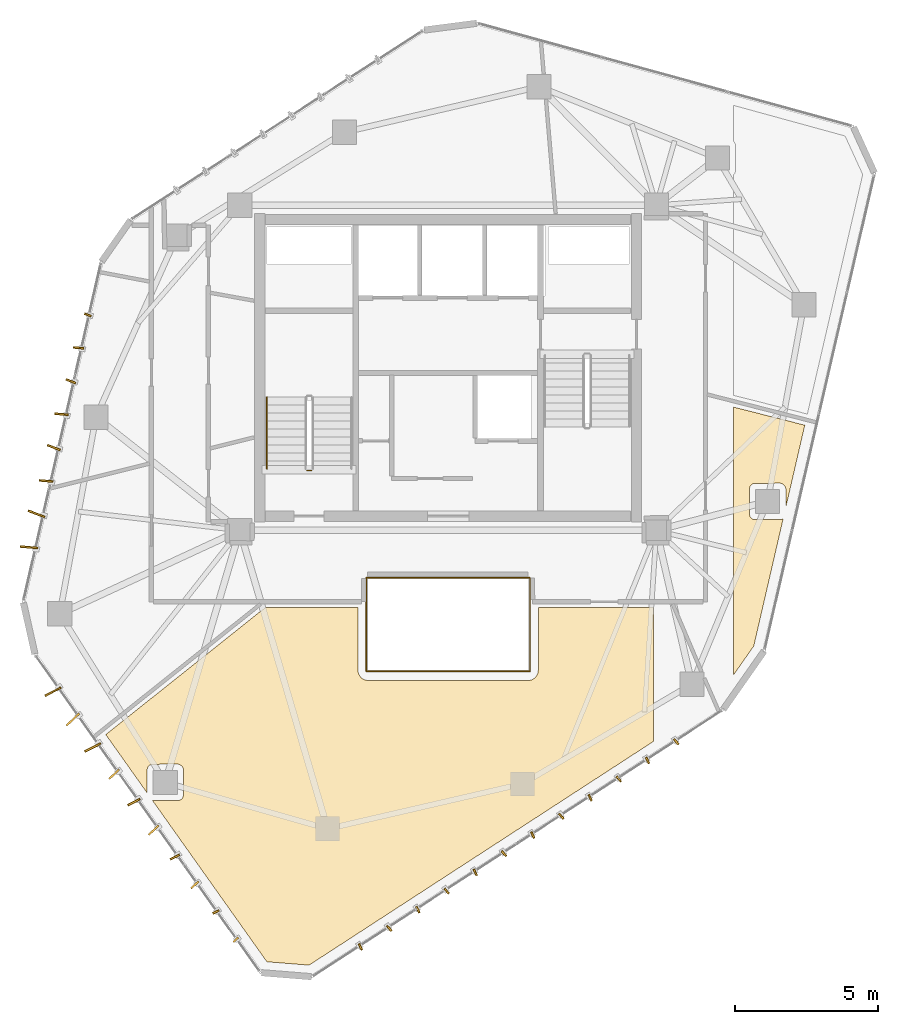
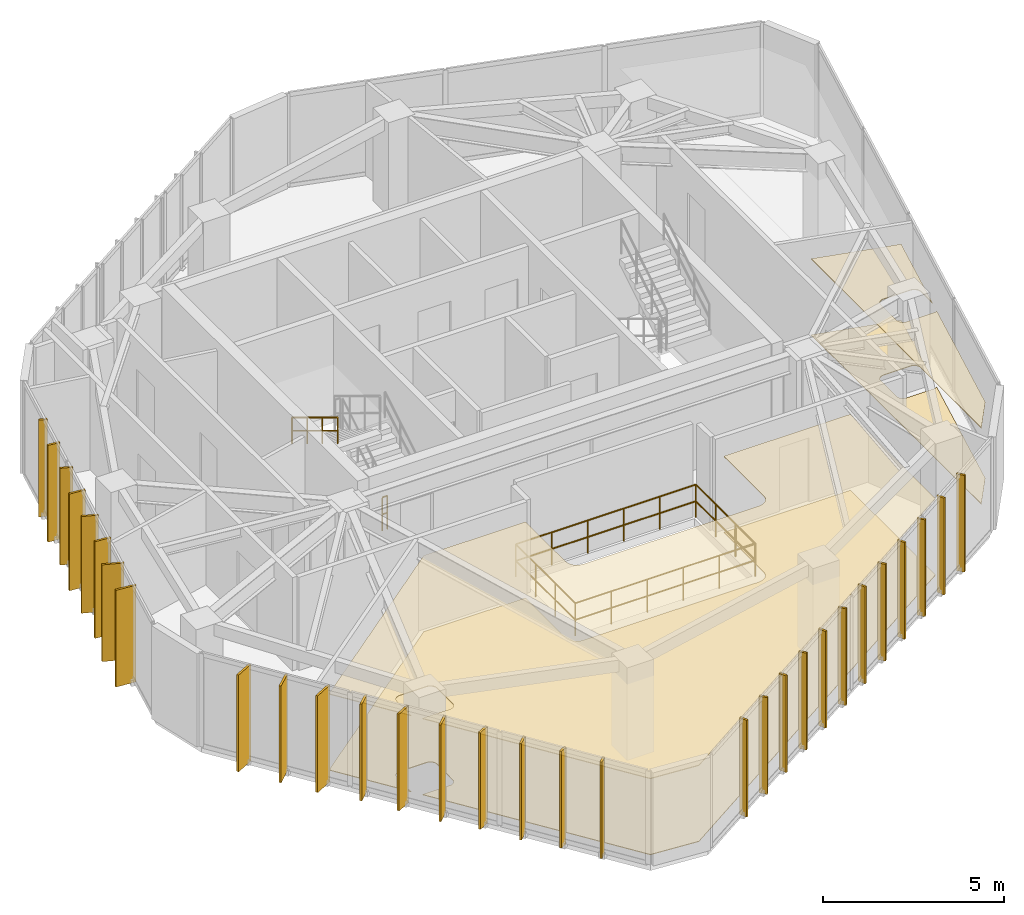
# One storey, part 19 of 20: 30 shading devices, 6 railings, 4 coverings.
"""IFC4 building model written with IfcOpenShell, lengths in metres."""

import ifcopenshell
import ifcopenshell.guid

model = None  # the IFC model being written
_history = None  # IfcOwnerHistory: only IFC2X3 demands one
_inside = {}  # id of a spatial element -> (the spatial element, [elements in it])
_under = {}  # id of a project, library or spatial element -> (it, [spatial elements below it])
_declared = {}  # id of a project -> (the project, [libraries it declares])
_typed = {}  # id of a type object -> (the type object, [elements of that type])
_made_of = {}  # id of a material, layer set ... -> (it, [elements and type objects made of it])


def new_model(schema):
    """Start an empty IFC model of exactly this schema.

    Asked for "IFC4X3", IfcOpenShell would pick the latest addendum, in which some entities
    have other attributes; the version numbers below select the first issue.
    IFC2X3 requires an IfcOwnerHistory on every rooted entity: one is made here for all.
    """
    global model, _history
    if schema == "IFC4X3":
        model = ifcopenshell.file(schema_version=(4, 3, 0, 0))
    else:
        model = ifcopenshell.file(schema=schema)
    _inside.clear()
    _under.clear()
    _declared.clear()
    _typed.clear()
    _made_of.clear()
    _history = None
    if model.schema == "IFC2X3":
        org = make("IfcOrganization", Name="unknown")
        user = make(
            "IfcPersonAndOrganization",
            ThePerson=make("IfcPerson", FamilyName="unknown"),
            TheOrganization=org,
        )
        app = make(
            "IfcApplication",
            ApplicationDeveloper=org,
            Version="unknown",
            ApplicationFullName="unknown",
            ApplicationIdentifier="unknown",
        )
        _history = make(
            "IfcOwnerHistory",
            OwningUser=user,
            OwningApplication=app,
            ChangeAction="ADDED",
            CreationDate=0,
        )
    return model


def make(cls, **values):
    """One entity of the class cls with the attributes given. An attribute that is None is left unset."""
    return model.create_entity(
        cls, **{name: value for name, value in values.items() if value is not None}
    )


def rooted(cls, **values):
    """An entity with a GlobalId (a new one), such as an element, a storey or a relation."""
    return make(cls, GlobalId=ifcopenshell.guid.new(), OwnerHistory=_history, **values)


def si_unit(unit_type, name, prefix=None):
    """IfcSIUnit, for example si_unit("LENGTHUNIT", "METRE", prefix="MILLI")."""
    return make("IfcSIUnit", UnitType=unit_type, Prefix=prefix, Name=name)


def assignment(units):
    """IfcUnitAssignment: the units of a project."""
    return None if units is None else make("IfcUnitAssignment", Units=units)


def point(xyz):
    """IfcCartesianPoint."""
    return None if xyz is None else make("IfcCartesianPoint", Coordinates=xyz)


def direction(xyz):
    """IfcDirection."""
    return None if xyz is None else make("IfcDirection", DirectionRatios=xyz)


def frame(location, z_axis=None, x_axis=None):
    """IfcAxis2Placement3D, a coordinate frame: its origin and axes. An axis left out is left unset."""
    return make(
        "IfcAxis2Placement3D",
        Location=point(location),
        Axis=direction(z_axis),
        RefDirection=direction(x_axis),
    )


def frame_2d(location, x_axis=None):
    """IfcAxis2Placement2D, a coordinate frame in the plane: its origin and x axis."""
    return make(
        "IfcAxis2Placement2D", Location=point(location), RefDirection=direction(x_axis)
    )


def origin():
    """The frame at (0, 0, 0) with its axes left unset."""
    return frame((0.0, 0.0, 0.0))


def origin_2d():
    """The frame at (0, 0) in the plane with its x axis left unset."""
    return frame_2d((0.0, 0.0))


def place(relative_to, where):
    """IfcLocalPlacement: puts the frame where relative to a parent placement (None: the world)."""
    return make(
        "IfcLocalPlacement", PlacementRelTo=relative_to, RelativePlacement=where
    )


def context(
    kind, dimensions, precision=None, world=None, true_north=None, identifier=None
):
    """IfcGeometricRepresentationContext, for example the 3D "Model" context."""
    return make(
        "IfcGeometricRepresentationContext",
        ContextIdentifier=identifier,
        ContextType=kind,
        CoordinateSpaceDimension=dimensions,
        Precision=precision,
        WorldCoordinateSystem=world,
        TrueNorth=true_north,
    )


def subcontext(parent, identifier, kind, view, scale=None):
    """IfcGeometricRepresentationSubContext, for example "Body" below "Model"."""
    return make(
        "IfcGeometricRepresentationSubContext",
        ContextIdentifier=identifier,
        ContextType=kind,
        ParentContext=parent,
        TargetScale=scale,
        TargetView=view,
    )


def project(units=None, contexts=None):
    """IfcProject with its units and contexts."""
    return rooted(
        "IfcProject",
        Name="project",
        RepresentationContexts=contexts,
        UnitsInContext=assignment(units),
    )


def spatial(cls, under=None, at=None, **own):
    """A site, building, storey or space (cls), placed at a placement, below another one or the project."""
    s = rooted(cls, ObjectPlacement=at, **own)
    if under is not None:
        _under.setdefault(under.id(), (under, []))[1].append(s)
    return s


def polyline(points):
    """IfcPolyline through the points."""
    return make("IfcPolyline", Points=[point(p) for p in points])


def profile(cls, at=None, kind="AREA", **sizes):
    """A parametric profile (cls). Its sizes go by their IFC names, for example OverallWidth=200.0."""
    return make(cls, ProfileType=kind, Position=at, **sizes)


def rectangle(**sizes):
    """IfcRectangleProfileDef."""
    return profile("IfcRectangleProfileDef", **sizes)


def circle(**sizes):
    """IfcCircleProfileDef."""
    return profile("IfcCircleProfileDef", **sizes)


def outline(outer, holes=None, kind="AREA"):
    """IfcArbitraryClosedProfileDef: a profile drawn as a closed curve; with holes, ...WithVoids."""
    if holes is None:
        return make("IfcArbitraryClosedProfileDef", ProfileType=kind, OuterCurve=outer)
    return make(
        "IfcArbitraryProfileDefWithVoids",
        ProfileType=kind,
        OuterCurve=outer,
        InnerCurves=holes,
    )


def extrude(swept, where, along, depth):
    """IfcExtrudedAreaSolid: the profile swept, set in the frame where, extruded along a direction by depth."""
    return make(
        "IfcExtrudedAreaSolid",
        SweptArea=swept,
        Position=where,
        ExtrudedDirection=direction(along),
        Depth=depth,
    )


def shape(context_of_items, identifier, shape_type, items):
    """IfcShapeRepresentation: the items that make up one representation, for example the "Body"."""
    return make(
        "IfcShapeRepresentation",
        ContextOfItems=context_of_items,
        RepresentationIdentifier=identifier,
        RepresentationType=shape_type,
        Items=items,
    )


def source(mapping_origin, context_of_items, identifier, shape_type, items):
    """IfcRepresentationMap: a shape defined once, which mapped items show again and again."""
    return make(
        "IfcRepresentationMap",
        MappingOrigin=mapping_origin,
        MappedRepresentation=shape(context_of_items, identifier, shape_type, items),
    )


def transform(
    local_origin,
    x_axis=None,
    y_axis=None,
    z_axis=None,
    scale=None,
    scale2=None,
    scale3=None,
    uniform=True,
):
    """IfcCartesianTransformationOperator3D, or its non-uniform kind. x_axis, y_axis, z_axis: its Axis1, 2, 3."""
    if uniform:
        return make(
            "IfcCartesianTransformationOperator3D",
            Axis1=direction(x_axis),
            Axis2=direction(y_axis),
            LocalOrigin=point(local_origin),
            Scale=scale,
            Axis3=direction(z_axis),
        )
    return make(
        "IfcCartesianTransformationOperator3DnonUniform",
        Axis1=direction(x_axis),
        Axis2=direction(y_axis),
        LocalOrigin=point(local_origin),
        Scale=scale,
        Axis3=direction(z_axis),
        Scale2=scale2,
        Scale3=scale3,
    )


def mapped(mapping_source, mapping_target):
    """IfcMappedItem: shows the shape of a source again, moved by a transform."""
    return make(
        "IfcMappedItem", MappingSource=mapping_source, MappingTarget=mapping_target
    )


def material(Name=None, Category=None):
    """IfcMaterial."""
    return make("IfcMaterial", Name=Name, Category=Category)


def layer(
    of_material, thickness, ventilated=None, Name=None, Category=None, Priority=None
):
    """IfcMaterialLayer: one layer of a wall or slab, of a material (None: an air gap)."""
    return make(
        "IfcMaterialLayer",
        Material=of_material,
        LayerThickness=thickness,
        IsVentilated=ventilated,
        Name=Name,
        Category=Category,
        Priority=Priority,
    )


def layer_set(layers, Name=None):
    """IfcMaterialLayerSet."""
    return make("IfcMaterialLayerSet", MaterialLayers=layers, LayerSetName=Name)


def made_of(thing, what):
    """Note that an element or type object is made of a material, layer set ...; save() writes the relation."""
    if what is not None:
        _made_of.setdefault(what.id(), (what, []))[1].append(thing)
    return thing


def type_object(cls, material=None, **own):
    """A type object (cls), such as IfcWallType, which elements share."""
    return made_of(rooted(cls, **own), material)


def type_shapes(of_type, sources):
    """Give a type object the sources (RepresentationMaps) that its elements show as mapped items."""
    of_type.RepresentationMaps = sources


def element(
    cls,
    number,
    at=None,
    inside=None,
    cuts=None,
    type_object=None,
    material=None,
    context=None,
    identifier="Body",
    shape_type=None,
    held_by="IfcProductDefinitionShape",
    body=None,
    shapes=None,
    **own,
):
    """One element of the class cls, such as IfcWall. Its Tag is "e" and its number.

    at: its placement. inside: the storey or other place that contains it. cuts: it is an
    opening in that element (IfcRelVoidsElement). A single representation is given by context,
    identifier, shape_type and body (its items); several are given by shapes. held_by: the class
    of the entity that holds the representations. save() writes the other relations.
    """
    e = rooted(cls, Tag="e%d" % number, ObjectPlacement=at, **own)
    if body is not None:
        shapes = [shape(context, identifier, shape_type, body)]
    if shapes is not None:
        e.Representation = make(held_by, Representations=shapes)
    if inside is not None:
        _inside.setdefault(inside.id(), (inside, []))[1].append(e)
    if cuts is not None:
        rooted(
            "IfcRelVoidsElement", RelatingBuildingElement=cuts, RelatedOpeningElement=e
        )
    if type_object is not None:
        _typed.setdefault(type_object.id(), (type_object, []))[1].append(e)
    return made_of(e, material)


def aggregate(whole, parts):
    """IfcRelAggregates: a whole, such as a stair, and the parts it consists of."""
    return rooted("IfcRelAggregates", RelatingObject=whole, RelatedObjects=parts)


def save(model, path):
    """Write the relations noted so far, then the file.

    IfcRelAggregates (storeys below a building ...), IfcRelContainedInSpatialStructure (elements
    in a storey), IfcRelDefinesByType, IfcRelAssociatesMaterial and IfcRelDeclares: one each for
    every whole, place, type object, material and project.
    """
    for whole, parts in _under.values():
        aggregate(whole, parts)
    for where, things in _inside.values():
        rooted(
            "IfcRelContainedInSpatialStructure",
            RelatedElements=things,
            RelatingStructure=where,
        )
    for kind, things in _typed.values():
        rooted("IfcRelDefinesByType", RelatedObjects=things, RelatingType=kind)
    for what, things in _made_of.values():
        rooted("IfcRelAssociatesMaterial", RelatedObjects=things, RelatingMaterial=what)
    for by, libraries in _declared.values():
        rooted("IfcRelDeclares", RelatingContext=by, RelatedDefinitions=libraries)
    model.write(path)


model = new_model("IFC4")

# Units and contexts
model_context = context("Model", 3, precision=1e-05, world=origin(), true_north=direction((0.0, 1.0)))
body_context = subcontext(model_context, "Body", "Model", "MODEL_VIEW")
ifc_project = project(units=[si_unit("LENGTHUNIT", "METRE"), si_unit("AREAUNIT", "SQUARE_METRE"), si_unit("VOLUMEUNIT", "CUBIC_METRE"), si_unit("PLANEANGLEUNIT", "RADIAN"), si_unit("MASSUNIT", "GRAM", prefix="KILO")], contexts=[model_context])

# Site, building, storey
site_placement = place(None, origin())
site = spatial("IfcSite", under=ifc_project, at=site_placement, CompositionType="ELEMENT")
building_placement = place(site_placement, origin())
building = spatial("IfcBuilding", under=site, at=building_placement, Name="Talar Marvaseh", CompositionType="ELEMENT")
storey_placement = place(building_placement, frame((0.0, 0.0, 247.60009765625)))
storey = spatial("IfcBuildingStorey", under=building, at=storey_placement, Name="L65", CompositionType="ELEMENT", Elevation=247.60009765625)

# Railings
ifc_material_1 = material(Name="Stainless Steel Grade 316", Category="steel")
railing_type_1 = type_object("IfcRailingType", Name="Brushed Stainless Wall Pitch Handrail 900", PredefinedType="HANDRAIL", material=ifc_material_1)
railing_1_placement = place(storey_placement, frame((19.64990234375, 30.169921875, 1.869873046875)))
element("IfcRailing", 1, at=railing_1_placement, inside=storey, type_object=railing_type_1, Name="L65 ST-1 stair handrail 2", PredefinedType="HANDRAIL", context=body_context, shape_type="SweptSolid", body=[
    extrude(circle(Radius=0.02392578125, at=origin_2d()), frame((0.0, 0.0, 0.8759765625), z_axis=(0.0, -0.85478489116, 0.518982456201), x_axis=(1.0, 0.0, 0.0)), (0.0, 0.0, 1.0), 2.9482421875),
    extrude(circle(Radius=0.02392578125, at=origin_2d()), frame((0.0, 0.0, 0.42578125), z_axis=(0.0, -0.85478489116, 0.518982456201), x_axis=(1.0, 0.0, 0.0)), (0.0, 0.0, 1.0), 2.9482421875),
    extrude(circle(Radius=0.02099609375, at=origin_2d()), origin(), (0.0, 0.0, 1.0), 0.851806640625),
    extrude(circle(Radius=0.02099609375, at=origin_2d()), frame((0.0, -0.840087890625, 0.510009765625)), (0.0, 0.0, 1.0), 0.851806640625),
    extrude(circle(Radius=0.02099609375, at=origin_2d()), frame((0.0, -1.679931640625, 1.02001953125)), (0.0, 0.0, 1.0), 0.851806640625),
    extrude(circle(Radius=0.02099609375, at=origin_2d()), frame((0.0, -2.52001953125, 1.530029296875)), (0.0, 0.0, 1.0), 0.851806640625),
])
ifc_material_2 = material(Name="Tempered Clear Glass", Category="glass")
railing_type_2 = type_object("IfcRailingType", Name="Interior Atrium Edge Balustrade 1120", PredefinedType="BALUSTRADE", material=ifc_material_2)
railing_2_placement = place(storey_placement, frame((23.130615234375, 20.560302734375, 0.0)))
element("IfcRailing", 2, at=railing_2_placement, inside=storey, type_object=railing_type_2, Name="L65 Internal Daylight Atrium Balustrade 1", PredefinedType="BALUSTRADE", context=body_context, shape_type="SweptSolid", body=[
    extrude(circle(Radius=0.02392578125, at=origin_2d()), frame((0.0, 0.0, 1.09619140625), z_axis=(1.0, 0.0, 0.0), x_axis=(0.0, 1.0, 0.0)), (0.0, 0.0, 1.0), 5.73876953125),
    extrude(circle(Radius=0.02392578125, at=origin_2d()), frame((0.0, 0.0, 0.5361328125), z_axis=(1.0, 0.0, 0.0), x_axis=(0.0, 1.0, 0.0)), (0.0, 0.0, 1.0), 5.73876953125),
    extrude(circle(Radius=0.02099609375, at=origin_2d()), origin(), (0.0, 0.0, 1.0), 1.072021484375),
    extrude(circle(Radius=0.02099609375, at=origin_2d()), frame((1.147705078125, 0.0, 0.0)), (0.0, 0.0, 1.0), 1.072021484375),
    extrude(circle(Radius=0.02099609375, at=origin_2d()), frame((2.29541015625, 0.0, 0.0)), (0.0, 0.0, 1.0), 1.072021484375),
    extrude(circle(Radius=0.02099609375, at=origin_2d()), frame((3.443359375, 0.0, 0.0)), (0.0, 0.0, 1.0), 1.072021484375),
    extrude(circle(Radius=0.02099609375, at=origin_2d()), frame((4.591064453125, 0.0, 0.0)), (0.0, 0.0, 1.0), 1.072021484375),
    extrude(circle(Radius=0.02099609375, at=origin_2d()), frame((5.73876953125, 0.0, 0.0)), (0.0, 0.0, 1.0), 1.072021484375),
])
railing_3_placement = place(storey_placement, frame((28.869384765625, 20.560302734375, 0.0)))
element("IfcRailing", 3, at=railing_3_placement, inside=storey, type_object=railing_type_2, Name="L65 Internal Daylight Atrium Balustrade 2", PredefinedType="BALUSTRADE", context=body_context, shape_type="SweptSolid", body=[
    extrude(circle(Radius=0.02392578125, at=origin_2d()), frame((0.0, 0.0, 1.09619140625), z_axis=(0.0, 1.0, 0.0), x_axis=(-1.0, 0.0, 0.0)), (0.0, 0.0, 1.0), 3.279296875),
    extrude(circle(Radius=0.02392578125, at=origin_2d()), frame((0.0, 0.0, 0.5361328125), z_axis=(0.0, 1.0, 0.0), x_axis=(-1.0, 0.0, 0.0)), (0.0, 0.0, 1.0), 3.279296875),
    extrude(circle(Radius=0.02099609375, at=origin_2d()), origin(), (0.0, 0.0, 1.0), 1.072021484375),
    extrude(circle(Radius=0.02099609375, at=origin_2d()), frame((0.0, 1.093017578125, 0.0)), (0.0, 0.0, 1.0), 1.072021484375),
    extrude(circle(Radius=0.02099609375, at=origin_2d()), frame((0.0, 2.186279296875, 0.0)), (0.0, 0.0, 1.0), 1.072021484375),
    extrude(circle(Radius=0.02099609375, at=origin_2d()), frame((0.0, 3.279296875, 0.0)), (0.0, 0.0, 1.0), 1.072021484375),
])
railing_4_placement = place(storey_placement, frame((28.869384765625, 23.839599609375, 0.0)))
element("IfcRailing", 4, at=railing_4_placement, inside=storey, type_object=railing_type_2, Name="L65 Internal Daylight Atrium Balustrade 3", PredefinedType="BALUSTRADE", context=body_context, shape_type="SweptSolid", body=[
    extrude(circle(Radius=0.02392578125, at=origin_2d()), frame((0.0, 0.0, 1.09619140625), z_axis=(-1.0, 0.0, 0.0), x_axis=(0.0, -1.0, 0.0)), (0.0, 0.0, 1.0), 5.73876953125),
    extrude(circle(Radius=0.02392578125, at=origin_2d()), frame((0.0, 0.0, 0.5361328125), z_axis=(-1.0, 0.0, 0.0), x_axis=(0.0, -1.0, 0.0)), (0.0, 0.0, 1.0), 5.73876953125),
    extrude(circle(Radius=0.02099609375, at=origin_2d()), origin(), (0.0, 0.0, 1.0), 1.072021484375),
    extrude(circle(Radius=0.02099609375, at=origin_2d()), frame((-1.147705078125, 0.0, 0.0)), (0.0, 0.0, 1.0), 1.072021484375),
    extrude(circle(Radius=0.02099609375, at=origin_2d()), frame((-2.29541015625, 0.0, 0.0)), (0.0, 0.0, 1.0), 1.072021484375),
    extrude(circle(Radius=0.02099609375, at=origin_2d()), frame((-3.443359375, 0.0, 0.0)), (0.0, 0.0, 1.0), 1.072021484375),
    extrude(circle(Radius=0.02099609375, at=origin_2d()), frame((-4.591064453125, 0.0, 0.0)), (0.0, 0.0, 1.0), 1.072021484375),
    extrude(circle(Radius=0.02099609375, at=origin_2d()), frame((-5.73876953125, 0.0, 0.0)), (0.0, 0.0, 1.0), 1.072021484375),
])
railing_5_placement = place(storey_placement, frame((23.130615234375, 23.839599609375, 0.0)))
element("IfcRailing", 5, at=railing_5_placement, inside=storey, type_object=railing_type_2, Name="L65 Internal Daylight Atrium Balustrade 4", PredefinedType="BALUSTRADE", context=body_context, shape_type="SweptSolid", body=[
    extrude(circle(Radius=0.02392578125, at=origin_2d()), frame((0.0, 0.0, 1.09619140625), z_axis=(0.0, -1.0, 0.0), x_axis=(1.0, 0.0, 0.0)), (0.0, 0.0, 1.0), 3.279296875),
    extrude(circle(Radius=0.02392578125, at=origin_2d()), frame((0.0, 0.0, 0.5361328125), z_axis=(0.0, -1.0, 0.0), x_axis=(1.0, 0.0, 0.0)), (0.0, 0.0, 1.0), 3.279296875),
    extrude(circle(Radius=0.02099609375, at=origin_2d()), origin(), (0.0, 0.0, 1.0), 1.072021484375),
    extrude(circle(Radius=0.02099609375, at=origin_2d()), frame((0.0, -1.093017578125, 0.0)), (0.0, 0.0, 1.0), 1.072021484375),
    extrude(circle(Radius=0.02099609375, at=origin_2d()), frame((0.0, -2.186279296875, 0.0)), (0.0, 0.0, 1.0), 1.072021484375),
    extrude(circle(Radius=0.02099609375, at=origin_2d()), frame((0.0, -3.279296875, 0.0)), (0.0, 0.0, 1.0), 1.072021484375),
])
railing_type_3 = type_object("IfcRailingType", Name="Painted Steel Core Stair Well Guardrail 1150", PredefinedType="GUARDRAIL", material=ifc_material_1)
railing_6_placement = place(storey_placement, frame((21.2099609375, 27.60009765625, 0.0)))
element("IfcRailing", 6, at=railing_6_placement, inside=storey, type_object=railing_type_3, Name="L65 ST-1 stair guard 4", PredefinedType="GUARDRAIL", context=body_context, shape_type="SweptSolid", body=[
    extrude(circle(Radius=0.02392578125, at=origin_2d()), frame((0.0, 0.0, 1.1259765625), z_axis=(-1.0, 0.0, 0.0), x_axis=(0.0, -1.0, 0.0)), (0.0, 0.0, 1.0), 0.159912109375),
    extrude(circle(Radius=0.02392578125, at=origin_2d()), frame((0.0, 0.0, 0.55078125), z_axis=(-1.0, 0.0, 0.0), x_axis=(0.0, -1.0, 0.0)), (0.0, 0.0, 1.0), 0.159912109375),
    extrude(circle(Radius=0.02099609375, at=origin_2d()), origin(), (0.0, 0.0, 1.0), 1.101806640625),
    extrude(circle(Radius=0.02099609375, at=origin_2d()), frame((-0.159912109375, 0.0, 0.0)), (0.0, 0.0, 1.0), 1.101806640625),
])

# Coverings
ifc_material_3 = material(Name="Mineral Fibre Acoustic Ceiling")
ifc_layer_1 = layer(ifc_material_3, 0.02490234375)
ifc_layer_set_1 = layer_set([ifc_layer_1], Name="Mineral Fibre Acoustic Ceiling")
covering_type_1 = type_object("IfcCoveringType", Name="Perforated Mineral Fibre Acoustic Suspended Ceiling", PredefinedType="CEILING", material=ifc_layer_set_1)
covering_1_placement = place(storey_placement, frame((0.0, 0.0, 2.559814453125)))
element("IfcCovering", 7, at=covering_1_placement, inside=storey, type_object=covering_type_1, Name="L65 Hospitality Tea Pantry Acoustic Ceiling", PredefinedType="CEILING", context=body_context, shape_type="SweptSolid", body=[
    extrude(outline(polyline([(22.840087890625, 22.800048828125), (22.840087890625, 20.60009765625), (22.841064453125, 20.580322265625), (22.843994140625, 20.560791015625), (22.856201171875, 20.499755859375), (22.861572265625, 20.478515625), (22.869384765625, 20.457763671875), (22.87939453125, 20.43798828125), (22.8916015625, 20.419677734375), (22.937744140625, 20.357177734375), (22.9501953125, 20.342041015625), (22.964111328125, 20.328125), (22.9794921875, 20.315673828125), (22.995849609375, 20.3046875), (23.0361328125, 20.280517578125), (23.056396484375, 20.27001953125), (23.07763671875, 20.26171875), (23.099609375, 20.256103515625), (23.160888671875, 20.243896484375), (23.180419921875, 20.240966796875), (23.199951171875, 20.239990234375), (28.800048828125, 20.239990234375), (28.819580078125, 20.240966796875), (28.839111328125, 20.243896484375), (28.900390625, 20.256103515625), (28.919189453125, 20.2607421875), (28.937744140625, 20.267578125), (28.95556640625, 20.27587890625), (28.972412109375, 20.285888671875), (29.0244140625, 20.320556640625), (29.0400390625, 20.332275390625), (29.054443359375, 20.345458984375), (29.067626953125, 20.360107421875), (29.079345703125, 20.375732421875), (29.114013671875, 20.427490234375), (29.124267578125, 20.444580078125), (29.132568359375, 20.462158203125), (29.13916015625, 20.480712890625), (29.143798828125, 20.499755859375), (29.156005859375, 20.560791015625), (29.158935546875, 20.580322265625), (29.159912109375, 20.60009765625), (29.159912109375, 22.800048828125), (33.199951171875, 22.800048828125), (33.199951171875, 18.1064453125), (21.127197265625, 10.263671875), (19.6484375, 10.3818359375), (15.640380859375, 16.032958984375), (15.6513671875, 16.032470703125), (16.522705078125, 16.032470703125), (16.5419921875, 16.033447265625), (16.5615234375, 16.0361328125), (16.58056640625, 16.041015625), (16.598876953125, 16.047607421875), (16.61669921875, 16.055908203125), (16.63330078125, 16.06591796875), (16.649169921875, 16.077392578125), (16.663818359375, 16.090576171875), (16.6767578125, 16.10498046875), (16.6884765625, 16.120849609375), (16.69873046875, 16.137451171875), (16.70703125, 16.1552734375), (16.7138671875, 16.173583984375), (16.718505859375, 16.1923828125), (16.721435546875, 16.2119140625), (16.72265625, 16.2314453125), (16.726806640625, 17.093505859375), (16.72607421875, 17.112060546875), (16.7236328125, 17.130615234375), (16.719482421875, 17.148681640625), (16.71337890625, 17.16650390625), (16.7060546875, 17.18359375), (16.697021484375, 17.199951171875), (16.686279296875, 17.215087890625), (16.67431640625, 17.2294921875), (16.6611328125, 17.24267578125), (16.646240234375, 17.256103515625), (16.632080078125, 17.26806640625), (16.61669921875, 17.2783203125), (16.6005859375, 17.287353515625), (16.58349609375, 17.294921875), (16.56591796875, 17.300537109375), (16.5478515625, 17.3046875), (16.529541015625, 17.30712890625), (16.510986328125, 17.30810546875), (15.650390625, 17.3037109375), (15.630859375, 17.302490234375), (15.611572265625, 17.299560546875), (15.592529296875, 17.294677734375), (15.57421875, 17.2880859375), (15.556396484375, 17.27978515625), (15.539794921875, 17.26953125), (15.524169921875, 17.2578125), (15.509521484375, 17.24462890625), (15.49658203125, 17.22998046875), (15.48486328125, 17.21435546875), (15.474853515625, 17.197509765625), (15.466552734375, 17.179931640625), (15.4599609375, 17.16162109375), (15.455078125, 17.142578125), (15.452392578125, 17.123046875), (15.451416015625, 17.103515625), (15.451416015625, 16.299560546875), (14.001220703125, 18.344482421875), (19.59619140625, 22.800048828125), (22.840087890625, 22.800048828125)])), origin(), (0.0, 0.0, 1.0), 0.025146484375),
])
covering_2_placement = place(storey_placement, frame((0.0, 0.0, 2.559814453125)))
element("IfcCovering", 8, at=covering_2_placement, inside=storey, type_object=covering_type_1, Name="L65 Visitor Orientation Foyer Acoustic Ceiling", PredefinedType="CEILING", context=body_context, shape_type="SweptSolid", body=[
    extrude(outline(polyline([(37.833740234375, 26.3017578125), (37.8369140625, 26.939453125), (37.836181640625, 26.9580078125), (37.83349609375, 26.9765625), (37.829345703125, 26.994873046875), (37.823486328125, 27.012451171875), (37.81591796875, 27.029541015625), (37.806884765625, 27.0458984375), (37.79638671875, 27.061279296875), (37.784423828125, 27.07568359375), (37.771240234375, 27.088623046875), (37.75634765625, 27.102294921875), (37.741943359375, 27.114013671875), (37.726806640625, 27.12451171875), (37.71044921875, 27.13330078125), (37.693603515625, 27.140869140625), (37.67578125, 27.146484375), (37.65771484375, 27.15087890625), (37.639404296875, 27.1533203125), (37.62109375, 27.154052734375), (36.760498046875, 27.149658203125), (36.74072265625, 27.1484375), (36.721435546875, 27.1455078125), (36.702392578125, 27.140625), (36.68408203125, 27.134033203125), (36.66650390625, 27.125732421875), (36.64990234375, 27.115478515625), (36.634033203125, 27.103759765625), (36.61962890625, 27.0908203125), (36.6064453125, 27.076171875), (36.594970703125, 27.060302734375), (36.5849609375, 27.043701171875), (36.576416015625, 27.02587890625), (36.570068359375, 27.007568359375), (36.565185546875, 26.988525390625), (36.5625, 26.968994140625), (36.561279296875, 26.94970703125), (36.561279296875, 26.078369140625), (36.5625, 26.058837890625), (36.565185546875, 26.039306640625), (36.570068359375, 26.020263671875), (36.57666015625, 26.001953125), (36.5849609375, 25.984130859375), (36.59521484375, 25.96728515625), (36.606689453125, 25.951416015625), (36.6201171875, 25.93701171875), (36.634521484375, 25.923828125), (36.650390625, 25.912109375), (36.6669921875, 25.902099609375), (36.684814453125, 25.8935546875), (36.703369140625, 25.886962890625), (36.722412109375, 25.882080078125), (36.74169921875, 25.87939453125), (36.761474609375, 25.87841796875), (37.632568359375, 25.87841796875), (37.652099609375, 25.87939453125), (37.67138671875, 25.882080078125), (37.6904296875, 25.886962890625), (37.708984375, 25.8935546875), (37.7265625, 25.90185546875), (37.743408203125, 25.911865234375), (37.74365234375, 25.912109375), (36.7119140625, 21.4462890625), (36.0, 20.429443359375), (36.0, 29.82275390625), (38.500732421875, 29.188720703125), (37.833740234375, 26.3017578125)])), origin(), (0.0, 0.0, 1.0), 0.025146484375),
])
ifc_material_4 = material(Name="Porcelain Stoneware Tile", Category="masonry")
ifc_layer_2 = layer(ifc_material_4, 0.02001953125)
ifc_layer_set_2 = layer_set([ifc_layer_2], Name="Porcelain Stoneware Tile")
covering_type_2 = type_object("IfcCoveringType", Name="Polished Porcelain Stoneware Gallery Flooring", PredefinedType="FLOORING", material=ifc_layer_set_2)
covering_3_placement = place(storey_placement, origin())
element("IfcCovering", 9, at=covering_3_placement, inside=storey, type_object=covering_type_2, Name="L65 Hospitality Tea Pantry Flooring", PredefinedType="FLOORING", context=body_context, shape_type="SweptSolid", body=[
    extrude(outline(polyline([(22.840087890625, 22.800048828125), (22.840087890625, 20.60009765625), (22.841064453125, 20.580322265625), (22.843994140625, 20.560791015625), (22.856201171875, 20.499755859375), (22.861572265625, 20.478515625), (22.869384765625, 20.457763671875), (22.87939453125, 20.43798828125), (22.8916015625, 20.419677734375), (22.937744140625, 20.357177734375), (22.9501953125, 20.342041015625), (22.964111328125, 20.328125), (22.9794921875, 20.315673828125), (22.995849609375, 20.3046875), (23.0361328125, 20.280517578125), (23.056396484375, 20.27001953125), (23.07763671875, 20.26171875), (23.099609375, 20.256103515625), (23.160888671875, 20.243896484375), (23.180419921875, 20.240966796875), (23.199951171875, 20.239990234375), (28.800048828125, 20.239990234375), (28.819580078125, 20.240966796875), (28.839111328125, 20.243896484375), (28.900390625, 20.256103515625), (28.919189453125, 20.2607421875), (28.937744140625, 20.267578125), (28.95556640625, 20.27587890625), (28.972412109375, 20.285888671875), (29.0244140625, 20.320556640625), (29.0400390625, 20.332275390625), (29.054443359375, 20.345458984375), (29.067626953125, 20.360107421875), (29.079345703125, 20.375732421875), (29.114013671875, 20.427490234375), (29.124267578125, 20.444580078125), (29.132568359375, 20.462158203125), (29.13916015625, 20.480712890625), (29.143798828125, 20.499755859375), (29.156005859375, 20.560791015625), (29.158935546875, 20.580322265625), (29.159912109375, 20.60009765625), (29.159912109375, 22.800048828125), (33.199951171875, 22.800048828125), (33.199951171875, 18.1064453125), (21.127197265625, 10.263671875), (19.6484375, 10.3818359375), (15.640380859375, 16.032958984375), (15.6513671875, 16.032470703125), (16.522705078125, 16.032470703125), (16.5419921875, 16.033447265625), (16.5615234375, 16.0361328125), (16.58056640625, 16.041015625), (16.598876953125, 16.047607421875), (16.61669921875, 16.055908203125), (16.63330078125, 16.06591796875), (16.649169921875, 16.077392578125), (16.663818359375, 16.090576171875), (16.6767578125, 16.10498046875), (16.6884765625, 16.120849609375), (16.69873046875, 16.137451171875), (16.70703125, 16.1552734375), (16.7138671875, 16.173583984375), (16.718505859375, 16.1923828125), (16.721435546875, 16.2119140625), (16.72265625, 16.2314453125), (16.726806640625, 17.093505859375), (16.72607421875, 17.112060546875), (16.7236328125, 17.130615234375), (16.719482421875, 17.148681640625), (16.71337890625, 17.16650390625), (16.7060546875, 17.18359375), (16.697021484375, 17.199951171875), (16.686279296875, 17.215087890625), (16.67431640625, 17.2294921875), (16.6611328125, 17.24267578125), (16.646240234375, 17.256103515625), (16.632080078125, 17.26806640625), (16.61669921875, 17.2783203125), (16.6005859375, 17.287353515625), (16.58349609375, 17.294921875), (16.56591796875, 17.300537109375), (16.5478515625, 17.3046875), (16.529541015625, 17.30712890625), (16.510986328125, 17.30810546875), (15.650390625, 17.3037109375), (15.630859375, 17.302490234375), (15.611572265625, 17.299560546875), (15.592529296875, 17.294677734375), (15.57421875, 17.2880859375), (15.556396484375, 17.27978515625), (15.539794921875, 17.26953125), (15.524169921875, 17.2578125), (15.509521484375, 17.24462890625), (15.49658203125, 17.22998046875), (15.48486328125, 17.21435546875), (15.474853515625, 17.197509765625), (15.466552734375, 17.179931640625), (15.4599609375, 17.16162109375), (15.455078125, 17.142578125), (15.452392578125, 17.123046875), (15.451416015625, 17.103515625), (15.451416015625, 16.299560546875), (14.001220703125, 18.344482421875), (19.59619140625, 22.800048828125), (22.840087890625, 22.800048828125)])), origin(), (0.0, 0.0, 1.0), 0.02001953125),
])
covering_4_placement = place(storey_placement, origin())
element("IfcCovering", 10, at=covering_4_placement, inside=storey, type_object=covering_type_2, Name="L65 Visitor Orientation Foyer Flooring", PredefinedType="FLOORING", context=body_context, shape_type="SweptSolid", body=[
    extrude(outline(polyline([(37.833740234375, 26.3017578125), (37.8369140625, 26.939453125), (37.836181640625, 26.9580078125), (37.83349609375, 26.9765625), (37.829345703125, 26.994873046875), (37.823486328125, 27.012451171875), (37.81591796875, 27.029541015625), (37.806884765625, 27.0458984375), (37.79638671875, 27.061279296875), (37.784423828125, 27.07568359375), (37.771240234375, 27.088623046875), (37.75634765625, 27.102294921875), (37.741943359375, 27.114013671875), (37.726806640625, 27.12451171875), (37.71044921875, 27.13330078125), (37.693603515625, 27.140869140625), (37.67578125, 27.146484375), (37.65771484375, 27.15087890625), (37.639404296875, 27.1533203125), (37.62109375, 27.154052734375), (36.760498046875, 27.149658203125), (36.74072265625, 27.1484375), (36.721435546875, 27.1455078125), (36.702392578125, 27.140625), (36.68408203125, 27.134033203125), (36.66650390625, 27.125732421875), (36.64990234375, 27.115478515625), (36.634033203125, 27.103759765625), (36.61962890625, 27.0908203125), (36.6064453125, 27.076171875), (36.594970703125, 27.060302734375), (36.5849609375, 27.043701171875), (36.576416015625, 27.02587890625), (36.570068359375, 27.007568359375), (36.565185546875, 26.988525390625), (36.5625, 26.968994140625), (36.561279296875, 26.94970703125), (36.561279296875, 26.078369140625), (36.5625, 26.058837890625), (36.565185546875, 26.039306640625), (36.570068359375, 26.020263671875), (36.57666015625, 26.001953125), (36.5849609375, 25.984130859375), (36.59521484375, 25.96728515625), (36.606689453125, 25.951416015625), (36.6201171875, 25.93701171875), (36.634521484375, 25.923828125), (36.650390625, 25.912109375), (36.6669921875, 25.902099609375), (36.684814453125, 25.8935546875), (36.703369140625, 25.886962890625), (36.722412109375, 25.882080078125), (36.74169921875, 25.87939453125), (36.761474609375, 25.87841796875), (37.632568359375, 25.87841796875), (37.652099609375, 25.87939453125), (37.67138671875, 25.882080078125), (37.6904296875, 25.886962890625), (37.708984375, 25.8935546875), (37.7265625, 25.90185546875), (37.743408203125, 25.911865234375), (37.74365234375, 25.912109375), (36.7119140625, 21.4462890625), (36.0, 20.429443359375), (36.0, 29.82275390625), (38.500732421875, 29.188720703125), (37.833740234375, 26.3017578125)])), origin(), (0.0, 0.0, 1.0), 0.02001953125),
])

# Shading devices
ifc_material_5 = material(Name="Anodised Champagne Bronze Aluminium", Category="aluminium")
ifc_layer_3 = layer(ifc_material_5, 0.06494140625)
ifc_layer_set_3 = layer_set([ifc_layer_3], Name="Anodised Champagne Bronze Aluminium")
shading_device_type_1 = type_object("IfcShadingDeviceType", Name="Sawtooth Champagne Bronze Vertical Fin 240", PredefinedType="USERDEFINED", material=ifc_layer_set_3)
shared_shape_1 = source(origin(), body_context, "Body", "SweptSolid", [
    extrude(rectangle(XDim=0.239990234375, YDim=0.06494140625, at=origin_2d()), origin(), (0.0, 0.0, 1.0), 3.260009765625),
])
type_shapes(shading_device_type_1, [shared_shape_1])
for number, where, z_axis, x_axis, name in (
    (11, (18.557373046875, 11.15087890625, -0.1201171875), (0.0, 0.0, 1.0), (-0.727173991201, -0.686453193248, 0.0), "L65 Sawtooth Vertical Solar Fin"),
    (12, (17.86328125, 12.129638671875, -0.1201171875), (0.0, 0.0, 1.0), (-0.888216647103, -0.45942484457, 0.0), "L65 Sawtooth Vertical Solar Fin"),
    (13, (13.372802734375, 33.0537109375, -0.1201171875), (0.0, 0.0, 1.0), (-0.934017558691, 0.357227098715, 0.0), "L65 Sawtooth Vertical Solar Fin"),
    (14, (33.99609375, 18.093017578125, -0.1201171875), (0.0, 0.0, 1.0), (0.656190740668, -0.754595064827, 0.0), "L65 Sawtooth Vertical Solar Fin"),
    (15, (32.98974609375, 17.439208984375, -0.1201171875), (0.0, 0.0, 1.0), (0.422776435852, -0.906234012432, 0.0), "L65 Sawtooth Vertical Solar Fin"),
    (16, (31.9833984375, 16.785400390625, -0.1201171875), (0.0, 0.0, 1.0), (0.656190740668, -0.754595064827, 0.0), "L65 Sawtooth Vertical Solar Fin"),
    (17, (30.977294921875, 16.131591796875, -0.1201171875), (0.0, 0.0, 1.0), (0.422776435852, -0.906234012432, 0.0), "L65 Sawtooth Vertical Solar Fin"),
    (18, (29.970947265625, 15.47802734375, -0.1201171875), (0.0, 0.0, 1.0), (0.656190740668, -0.754595064827, 0.0), "L65 Sawtooth Vertical Solar Fin"),
    (19, (28.964599609375, 14.82421875, -0.1201171875), (0.0, 0.0, 1.0), (0.422776435852, -0.906234012432, 0.0), "L65 Sawtooth Vertical Solar Fin"),
    (20, (27.958251953125, 14.17041015625, -0.1201171875), (0.0, 0.0, 1.0), (0.656190740668, -0.754595064827, 0.0), "L65 Sawtooth Vertical Solar Fin"),
    (21, (26.951904296875, 13.516845703125, -0.1201171875), (0.0, 0.0, 1.0), (0.422776435852, -0.906234012432, 0.0), "L65 Sawtooth Vertical Solar Fin"),
    (22, (25.945556640625, 12.863037109375, -0.1201171875), (0.0, 0.0, 1.0), (0.656190740668, -0.754595064827, 0.0), "L65 Sawtooth Vertical Solar Fin"),
    (23, (24.939208984375, 12.20947265625, -0.1201171875), (0.0, 0.0, 1.0), (0.422776435852, -0.906234012432, 0.0), "L65 Sawtooth Vertical Solar Fin"),
    (24, (23.93310546875, 11.5556640625, -0.1201171875), (0.0, 0.0, 1.0), (0.656190740668, -0.754595064827, 0.0), "L65 Sawtooth Vertical Solar Fin"),
    (25, (22.9267578125, 10.90185546875, -0.1201171875), (0.0, 0.0, 1.0), (0.422776435852, -0.906234012432, 0.0), "L65 Sawtooth Vertical Solar Fin"),
):
    element("IfcShadingDevice", number, at=place(storey_placement, frame(where, z_axis=z_axis, x_axis=x_axis)), inside=storey, type_object=shading_device_type_1, Name=name, ObjectType="FIN", PredefinedType="USERDEFINED", context=body_context, shape_type="MappedRepresentation", body=[
        mapped(shared_shape_1, transform((0.0, 0.0, 0.0), x_axis=(1.0, 0.0, 0.0), y_axis=(0.0, 1.0, 0.0), z_axis=(0.0, 0.0, 1.0), scale=1.0)),
    ])
ifc_layer_4 = layer(ifc_material_5, 0.06494140625)
ifc_layer_set_4 = layer_set([ifc_layer_4], Name="Anodised Champagne Bronze Aluminium")
shading_device_type_2 = type_object("IfcShadingDeviceType", Name="Sawtooth Champagne Bronze Vertical Fin 360", PredefinedType="USERDEFINED", material=ifc_layer_set_4)
shared_shape_2 = source(origin(), body_context, "Body", "SweptSolid", [
    extrude(rectangle(XDim=0.360107421875, YDim=0.06494140625, at=origin_2d()), origin(), (0.0, 0.0, 1.0), 3.260009765625),
])
type_shapes(shading_device_type_2, [shared_shape_2])
for number, where, z_axis, x_axis, name in (
    (26, (17.1201171875, 13.07373046875, -0.1201171875), (0.0, 0.0, 1.0), (-0.727173991201, -0.686453193248, 0.0), "L65 Sawtooth Vertical Solar Fin"),
    (27, (16.42578125, 14.052490234375, -0.1201171875), (0.0, 0.0, 1.0), (-0.888216647103, -0.45942484457, 0.0), "L65 Sawtooth Vertical Solar Fin"),
    (28, (12.777099609375, 30.72802734375, -0.1201171875), (0.0, 0.0, 1.0), (-0.934017558691, 0.357227098715, 0.0), "L65 Sawtooth Vertical Solar Fin"),
    (29, (13.0458984375, 31.897705078125, -0.1201171875), (0.0, 0.0, 1.0), (-0.99630043542, 0.085938596582, 0.0), "L65 Sawtooth Vertical Solar Fin"),
):
    element("IfcShadingDevice", number, at=place(storey_placement, frame(where, z_axis=z_axis, x_axis=x_axis)), inside=storey, type_object=shading_device_type_2, Name=name, ObjectType="FIN", PredefinedType="USERDEFINED", context=body_context, shape_type="MappedRepresentation", body=[
        mapped(shared_shape_2, transform((0.0, 0.0, 0.0), x_axis=(1.0, 0.0, 0.0), y_axis=(0.0, 1.0, 0.0), z_axis=(0.0, 0.0, 1.0), scale=1.0)),
    ])
ifc_layer_5 = layer(ifc_material_5, 0.06494140625)
ifc_layer_set_5 = layer_set([ifc_layer_5], Name="Anodised Champagne Bronze Aluminium")
shading_device_type_3 = type_object("IfcShadingDeviceType", Name="Sawtooth Champagne Bronze Vertical Fin 480", PredefinedType="USERDEFINED", material=ifc_layer_set_5)
shared_shape_3 = source(origin(), body_context, "Body", "SweptSolid", [
    extrude(rectangle(XDim=0.47998046875, YDim=0.06494140625, at=origin_2d()), origin(), (0.0, 0.0, 1.0), 3.260009765625),
])
type_shapes(shading_device_type_3, [shared_shape_3])
for number, where, z_axis, x_axis, name in (
    (30, (15.6826171875, 14.99658203125, -0.1201171875), (0.0, 0.0, 1.0), (-0.727173991201, -0.686453193248, 0.0), "L65 Sawtooth Vertical Solar Fin"),
    (31, (14.988525390625, 15.9755859375, -0.1201171875), (0.0, 0.0, 1.0), (-0.888216647103, -0.45942484457, 0.0), "L65 Sawtooth Vertical Solar Fin"),
    (32, (14.294189453125, 16.954345703125, -0.1201171875), (0.0, 0.0, 1.0), (-0.727173991201, -0.686453193248, 0.0), "L65 Sawtooth Vertical Solar Fin"),
    (33, (11.9130859375, 27.23291015625, -0.1201171875), (0.0, 0.0, 1.0), (-0.99630043542, 0.085938596582, 0.0), "L65 Sawtooth Vertical Solar Fin"),
    (34, (12.181640625, 28.40234375, -0.1201171875), (0.0, 0.0, 1.0), (-0.934017558691, 0.357227098715, 0.0), "L65 Sawtooth Vertical Solar Fin"),
    (35, (12.4501953125, 29.572021484375, -0.1201171875), (0.0, 0.0, 1.0), (-0.99630043542, 0.085938596582, 0.0), "L65 Sawtooth Vertical Solar Fin"),
):
    element("IfcShadingDevice", number, at=place(storey_placement, frame(where, z_axis=z_axis, x_axis=x_axis)), inside=storey, type_object=shading_device_type_3, Name=name, ObjectType="FIN", PredefinedType="USERDEFINED", context=body_context, shape_type="MappedRepresentation", body=[
        mapped(shared_shape_3, transform((0.0, 0.0, 0.0), x_axis=(1.0, 0.0, 0.0), y_axis=(0.0, 1.0, 0.0), z_axis=(0.0, 0.0, 1.0), scale=1.0)),
    ])
ifc_layer_6 = layer(ifc_material_5, 0.06494140625)
ifc_layer_set_6 = layer_set([ifc_layer_6], Name="Anodised Champagne Bronze Aluminium")
shading_device_type_4 = type_object("IfcShadingDeviceType", Name="Sawtooth Champagne Bronze Vertical Fin 620", PredefinedType="USERDEFINED", material=ifc_layer_set_6)
shared_shape_4 = source(origin(), body_context, "Body", "SweptSolid", [
    extrude(rectangle(XDim=0.6201171875, YDim=0.06494140625, at=origin_2d()), origin(), (0.0, 0.0, 1.0), 3.260009765625),
])
type_shapes(shading_device_type_4, [shared_shape_4])
for number, where, z_axis, x_axis, name in (
    (36, (13.54296875, 17.892578125, -0.1201171875), (0.0, 0.0, 1.0), (-0.888216647103, -0.45942484457, 0.0), "L65 Sawtooth Vertical Solar Fin"),
    (37, (12.8486328125, 18.87158203125, -0.1201171875), (0.0, 0.0, 1.0), (-0.727173991201, -0.686453193248, 0.0), "L65 Sawtooth Vertical Solar Fin"),
    (38, (12.154541015625, 19.850341796875, -0.1201171875), (0.0, 0.0, 1.0), (-0.888216647103, -0.45942484457, 0.0), "L65 Sawtooth Vertical Solar Fin"),
    (39, (11.307861328125, 24.9091796875, -0.1201171875), (0.0, 0.0, 1.0), (-0.99630043542, 0.085938596582, 0.0), "L65 Sawtooth Vertical Solar Fin"),
    (40, (11.576416015625, 26.078857421875, -0.1201171875), (0.0, 0.0, 1.0), (-0.934017558691, 0.357227098715, 0.0), "L65 Sawtooth Vertical Solar Fin"),
):
    element("IfcShadingDevice", number, at=place(storey_placement, frame(where, z_axis=z_axis, x_axis=x_axis)), inside=storey, type_object=shading_device_type_4, Name=name, ObjectType="FIN", PredefinedType="USERDEFINED", context=body_context, shape_type="MappedRepresentation", body=[
        mapped(shared_shape_4, transform((0.0, 0.0, 0.0), x_axis=(1.0, 0.0, 0.0), y_axis=(0.0, 1.0, 0.0), z_axis=(0.0, 0.0, 1.0), scale=1.0)),
    ])

save(model, "model.ifc")
